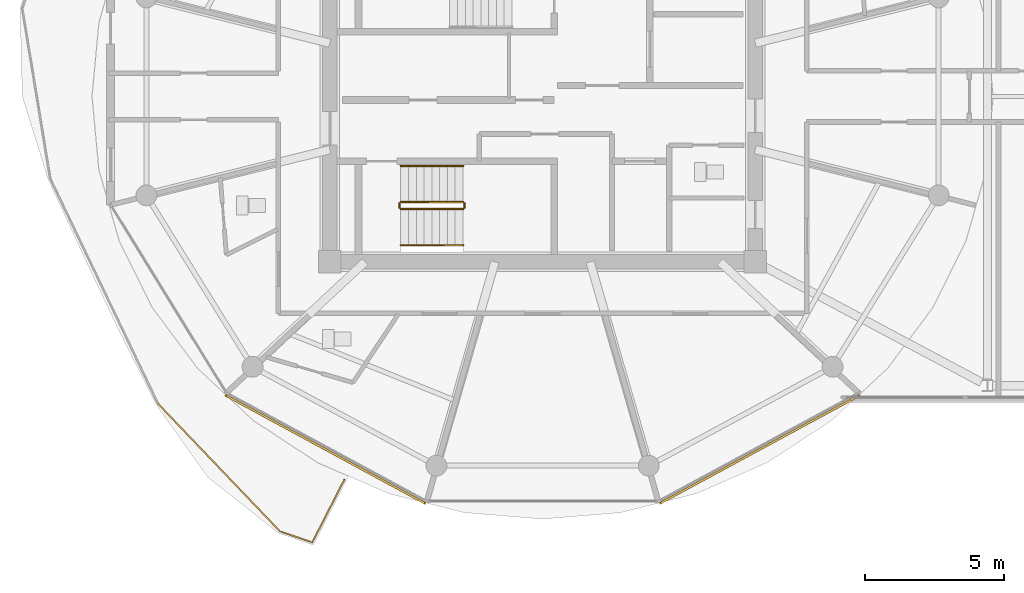
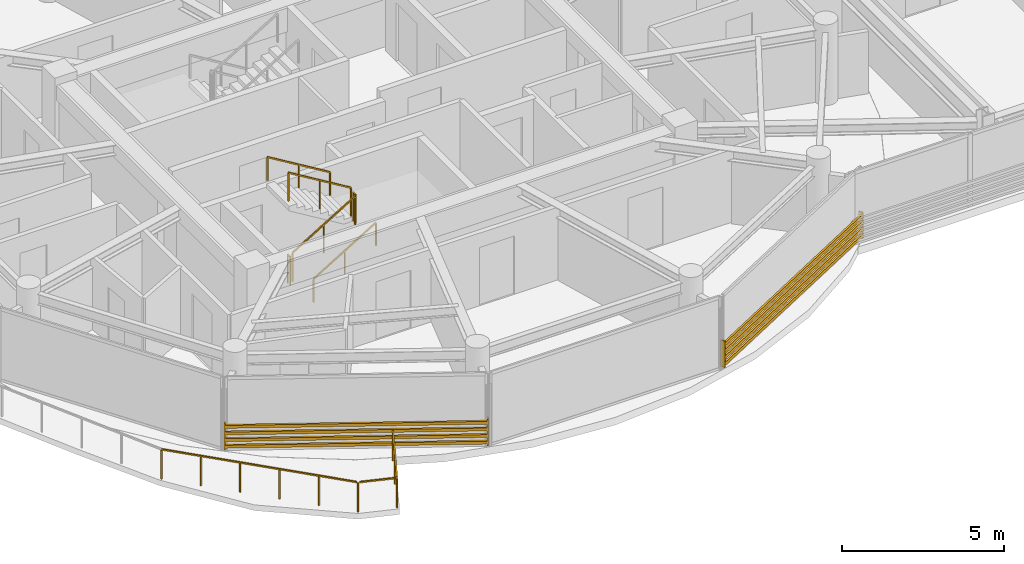
# One storey, part 22 of 26: 7 railings, 2 shading devices.
"""IFC4 building model written with IfcOpenShell, lengths in metres."""

from ifc_helpers import new_model, si_unit, direction, frame, origin, origin_2d, place, context, subcontext, project, spatial, rectangle, extrude, source, transform, mapped, material, type_object, type_shapes, element, save


model = new_model("IFC4")

# Units and contexts
model_context = context("Model", 3, precision=1e-05, world=origin(), true_north=direction((0.0, 1.0)))
body_context = subcontext(model_context, "Body", "Model", "MODEL_VIEW")
ifc_project = project(units=[si_unit("LENGTHUNIT", "METRE"), si_unit("AREAUNIT", "SQUARE_METRE"), si_unit("VOLUMEUNIT", "CUBIC_METRE"), si_unit("PLANEANGLEUNIT", "RADIAN"), si_unit("MASSUNIT", "GRAM", prefix="KILO")], contexts=[model_context])

# Site, building, storey
site_placement = place(None, origin())
site = spatial("IfcSite", under=ifc_project, at=site_placement, CompositionType="ELEMENT")
building_placement = place(site_placement, origin())
building = spatial("IfcBuilding", under=site, at=building_placement, Name="Norrkilde Senior Care Towers", CompositionType="ELEMENT")
storey_placement = place(building_placement, frame((0.0, 0.0, 210.85009765625)))
storey = spatial("IfcBuildingStorey", under=building, at=storey_placement, Name="L65", CompositionType="ELEMENT", Elevation=210.85009765625)

# Railings
ifc_material_1 = material(Name="Anodised Aluminium", Category="aluminium")
railing_type_1 = type_object("IfcRailingType", Name="Balcony Swirl Ribbon Guardrail 1150", PredefinedType="GUARDRAIL", material=ifc_material_1)
railing_1_placement = place(storey_placement, frame((-35.130126953125, -13.784423828125, 0.0)))
element("IfcRailing", 1, at=railing_1_placement, inside=storey, type_object=railing_type_1, Name="L65 Perimeter Safety Guard 04", PredefinedType="GUARDRAIL", context=body_context, shape_type="SweptSolid", body=[
    extrude(rectangle(XDim=0.048095703125, YDim=0.048095703125, at=origin_2d()), frame((0.0, 0.0, 1.1259765625), z_axis=(-0.454840673729, -0.890572827747, 0.0), x_axis=(0.890572827747, -0.454840673729, 0.0)), (0.0, 0.0, 1.0), 2.48876953125),
    extrude(rectangle(XDim=0.048095703125, YDim=0.048095703125, at=origin_2d()), frame((-1.189453125, -2.23974609375, 1.1259765625), z_axis=(-0.946715739522, 0.322070347192, 0.0), x_axis=(-0.322070347192, -0.946715739522, 0.0)), (0.0, 0.0, 1.0), 1.1455078125),
    extrude(rectangle(XDim=0.048095703125, YDim=0.048095703125, at=origin_2d()), frame((-2.3408203125, -1.828125, 1.1259765625), z_axis=(-0.690855536192, 0.722992827152, 0.0), x_axis=(-0.722992827152, -0.690855536192, 0.0)), (0.0, 0.0, 1.0), 6.302490234375),
    extrude(rectangle(XDim=0.0419921875, YDim=0.0419921875, at=origin_2d()), origin(), (0.0, 0.0, 1.0), 1.099853515625),
    extrude(rectangle(XDim=0.0419921875, YDim=0.0419921875, at=origin_2d()), frame((-0.5751953125, -1.12646484375, 0.0)), (0.0, 0.0, 1.0), 1.099853515625),
    extrude(rectangle(XDim=0.0419921875, YDim=0.0419921875, at=origin_2d()), frame((-1.150634765625, -2.2529296875, 0.0)), (0.0, 0.0, 1.0), 1.099853515625),
    extrude(rectangle(XDim=0.0419921875, YDim=0.0419921875, at=origin_2d()), frame((-2.3125, -1.857666015625, 0.0)), (0.0, 0.0, 1.0), 1.099853515625),
    extrude(rectangle(XDim=0.0419921875, YDim=0.0419921875, at=origin_2d()), frame((-3.18896484375, -0.9404296875, 0.0)), (0.0, 0.0, 1.0), 1.099853515625),
    extrude(rectangle(XDim=0.0419921875, YDim=0.0419921875, at=origin_2d()), frame((-4.0654296875, -0.023193359375, 0.0)), (0.0, 0.0, 1.0), 1.099853515625),
    extrude(rectangle(XDim=0.0419921875, YDim=0.0419921875, at=origin_2d()), frame((-4.94189453125, 0.89404296875, 0.0)), (0.0, 0.0, 1.0), 1.099853515625),
    extrude(rectangle(XDim=0.0419921875, YDim=0.0419921875, at=origin_2d()), frame((-5.818359375, 1.811279296875, 0.0)), (0.0, 0.0, 1.0), 1.099853515625),
    extrude(rectangle(XDim=0.0419921875, YDim=0.0419921875, at=origin_2d()), frame((-6.69482421875, 2.728515625, 0.0)), (0.0, 0.0, 1.0), 1.099853515625),
])
ifc_material_2 = material(Name="Stainless Steel", Category="steel")
railing_type_2 = type_object("IfcRailingType", Name="Stair and Terrace Guardrail 1100", PredefinedType="GUARDRAIL", material=ifc_material_2)
railing_2_placement = place(storey_placement, frame((-33.10009765625, -4.050048828125, 0.16943359375)))
element("IfcRailing", 2, at=railing_2_placement, inside=storey, type_object=railing_type_2, Name="L65 ST-W2 stair guard 1", PredefinedType="GUARDRAIL", context=body_context, shape_type="SweptSolid", body=[
    extrude(rectangle(XDim=0.048095703125, YDim=0.048095703125, at=origin_2d()), frame((0.0, 0.0, 1.076171875), z_axis=(0.855553338991, 0.0, 0.51771467445), x_axis=(0.0, 1.0, 0.0)), (0.0, 0.0, 1.0), 2.6181640625),
    extrude(rectangle(XDim=0.0419921875, YDim=0.0419921875, at=origin_2d()), origin(), (0.0, 0.0, 1.0), 1.050048828125),
    extrude(rectangle(XDim=0.0419921875, YDim=0.0419921875, at=origin_2d()), frame((1.1201171875, 0.0, 0.677734375)), (0.0, 0.0, 1.0), 1.050048828125),
    extrude(rectangle(XDim=0.0419921875, YDim=0.0419921875, at=origin_2d()), frame((2.239990234375, 0.0, 1.35546875)), (0.0, 0.0, 1.0), 1.050048828125),
])
railing_3_placement = place(storey_placement, frame((-30.81005859375, -4.0, 1.52490234375)))
element("IfcRailing", 3, at=railing_3_placement, inside=storey, type_object=railing_type_2, Name="L65 ST-W2 stair guard 2", PredefinedType="GUARDRAIL", context=body_context, shape_type="SweptSolid", body=[
    extrude(rectangle(XDim=0.048095703125, YDim=0.048095703125, at=origin_2d()), frame((0.0, 0.0, 1.076171875), z_axis=(0.0, 1.0, 0.0), x_axis=(-1.0, 0.0, 0.0)), (0.0, 0.0, 1.0), 0.14990234375),
    extrude(rectangle(XDim=0.0419921875, YDim=0.0419921875, at=origin_2d()), origin(), (0.0, 0.0, 1.0), 1.050048828125),
    extrude(rectangle(XDim=0.0419921875, YDim=0.0419921875, at=origin_2d()), frame((0.0, 0.14990234375, 0.0)), (0.0, 0.0, 1.0), 1.050048828125),
])
railing_4_placement = place(storey_placement, frame((-30.860107421875, -3.800048828125, 1.6943359375)))
element("IfcRailing", 4, at=railing_4_placement, inside=storey, type_object=railing_type_2, Name="L65 ST-W2 stair guard 3", PredefinedType="GUARDRAIL", context=body_context, shape_type="SweptSolid", body=[
    extrude(rectangle(XDim=0.048095703125, YDim=0.048095703125, at=origin_2d()), frame((0.0, 0.0, 1.076171875), z_axis=(-0.855553338991, 0.0, 0.51771467445), x_axis=(0.0, -1.0, 0.0)), (0.0, 0.0, 1.0), 2.6181640625),
    extrude(rectangle(XDim=0.0419921875, YDim=0.0419921875, at=origin_2d()), origin(), (0.0, 0.0, 1.0), 1.050048828125),
    extrude(rectangle(XDim=0.0419921875, YDim=0.0419921875, at=origin_2d()), frame((-1.1201171875, 0.0, 0.677734375)), (0.0, 0.0, 1.0), 1.050048828125),
    extrude(rectangle(XDim=0.0419921875, YDim=0.0419921875, at=origin_2d()), frame((-2.239990234375, 0.0, 1.35546875)), (0.0, 0.0, 1.0), 1.050048828125),
])
railing_5_placement = place(storey_placement, frame((-33.14990234375, -4.0, 0.0)))
element("IfcRailing", 5, at=railing_5_placement, inside=storey, type_object=railing_type_2, Name="L65 ST-W2 stair guard 4", PredefinedType="GUARDRAIL", context=body_context, shape_type="SweptSolid", body=[
    extrude(rectangle(XDim=0.048095703125, YDim=0.048095703125, at=origin_2d()), frame((0.0, 0.0, 1.076171875), z_axis=(0.0, 1.0, 0.0), x_axis=(-1.0, 0.0, 0.0)), (0.0, 0.0, 1.0), 0.14990234375),
    extrude(rectangle(XDim=0.0419921875, YDim=0.0419921875, at=origin_2d()), origin(), (0.0, 0.0, 1.0), 1.050048828125),
    extrude(rectangle(XDim=0.0419921875, YDim=0.0419921875, at=origin_2d()), frame((0.0, 0.14990234375, 0.0)), (0.0, 0.0, 1.0), 1.050048828125),
])
ifc_material_3 = material(Name="Nordic Ash Timber", Category="wood")
railing_type_3 = type_object("IfcRailingType", Name="Wall and Stair Handrail 900", PredefinedType="HANDRAIL", material=ifc_material_3)
railing_6_placement = place(storey_placement, frame((-33.10009765625, -5.35009765625, 0.16943359375)))
element("IfcRailing", 6, at=railing_6_placement, inside=storey, type_object=railing_type_3, Name="L65 ST-W2 stair handrail 1", PredefinedType="HANDRAIL", context=body_context, shape_type="SweptSolid", body=[
    extrude(rectangle(XDim=0.048095703125, YDim=0.048095703125, at=origin_2d()), frame((0.0, 0.0, 0.8759765625), z_axis=(0.855553338991, 0.0, 0.51771467445), x_axis=(0.0, 1.0, 0.0)), (0.0, 0.0, 1.0), 2.6181640625),
    extrude(rectangle(XDim=0.0419921875, YDim=0.0419921875, at=origin_2d()), origin(), (0.0, 0.0, 1.0), 0.849853515625),
    extrude(rectangle(XDim=0.0419921875, YDim=0.0419921875, at=origin_2d()), frame((1.1201171875, 0.0, 0.677734375)), (0.0, 0.0, 1.0), 0.849853515625),
    extrude(rectangle(XDim=0.0419921875, YDim=0.0419921875, at=origin_2d()), frame((2.239990234375, 0.0, 1.35546875)), (0.0, 0.0, 1.0), 0.849853515625),
])
railing_7_placement = place(storey_placement, frame((-30.860107421875, -2.5, 1.6943359375)))
element("IfcRailing", 7, at=railing_7_placement, inside=storey, type_object=railing_type_3, Name="L65 ST-W2 stair handrail 2", PredefinedType="HANDRAIL", context=body_context, shape_type="SweptSolid", body=[
    extrude(rectangle(XDim=0.048095703125, YDim=0.048095703125, at=origin_2d()), frame((0.0, 0.0, 0.8759765625), z_axis=(-0.855553338991, 0.0, 0.51771467445), x_axis=(0.0, -1.0, 0.0)), (0.0, 0.0, 1.0), 2.6181640625),
    extrude(rectangle(XDim=0.0419921875, YDim=0.0419921875, at=origin_2d()), origin(), (0.0, 0.0, 1.0), 0.849853515625),
    extrude(rectangle(XDim=0.0419921875, YDim=0.0419921875, at=origin_2d()), frame((-1.1201171875, 0.0, 0.677734375)), (0.0, 0.0, 1.0), 0.849853515625),
    extrude(rectangle(XDim=0.0419921875, YDim=0.0419921875, at=origin_2d()), frame((-2.239990234375, 0.0, 1.35546875)), (0.0, 0.0, 1.0), 0.849853515625),
])

# Shading devices
ifc_material_4 = material(Name="Architectural Terracotta", Category="masonry")
shading_device_type = type_object("IfcShadingDeviceType", Name="Horizontal Terracotta Baguette Rack", PredefinedType="USERDEFINED", material=ifc_material_4)
shared_shape = source(origin(), body_context, "Body", "SweptSolid", [
    extrude(rectangle(XDim=0.070068359375, YDim=0.110107421875, at=origin_2d()), frame((0.0, 0.090087890625, 0.125), z_axis=(1.0, 0.0, 0.0), x_axis=(0.0, 1.0, 0.0)), (0.0, 0.0, 1.0), 8.197265625),
    extrude(rectangle(XDim=0.070068359375, YDim=0.110107421875, at=origin_2d()), frame((0.0, 0.090087890625, 0.375), z_axis=(1.0, 0.0, 0.0), x_axis=(0.0, 1.0, 0.0)), (0.0, 0.0, 1.0), 8.197265625),
    extrude(rectangle(XDim=0.070068359375, YDim=0.110107421875, at=origin_2d()), frame((0.0, 0.090087890625, 0.625), z_axis=(1.0, 0.0, 0.0), x_axis=(0.0, 1.0, 0.0)), (0.0, 0.0, 1.0), 8.197265625),
    extrude(rectangle(XDim=0.070068359375, YDim=0.110107421875, at=origin_2d()), frame((0.0, 0.090087890625, 0.875), z_axis=(1.0, 0.0, 0.0), x_axis=(0.0, 1.0, 0.0)), (0.0, 0.0, 1.0), 8.197265625),
    extrude(rectangle(XDim=0.050048828125, YDim=0.1552734375, at=origin_2d()), frame((0.02490234375, 0.047607421875, 0.0)), (0.0, 0.0, 1.0), 1.0),
    extrude(rectangle(XDim=0.050048828125, YDim=0.1552734375, at=origin_2d()), frame((8.17236328125, 0.047607421875, 0.0)), (0.0, 0.0, 1.0), 1.0),
])
type_shapes(shading_device_type, [shared_shape])
for number, where, z_axis, x_axis, name in (
    (8, (-32.161865234375, -14.566162109375, 0.079833984375), (0.0, 0.0, 1.0), (-0.879378127234, 0.476143674053, 0.0), "L65 Drum W Terracotta Baguette Screen 07"),
    (9, (-16.629638671875, -10.6630859375, 0.079833984375), (0.0, 0.0, 1.0), (-0.879378127234, -0.476143674053, 0.0), "L65 Drum W Terracotta Baguette Screen 09"),
):
    element("IfcShadingDevice", number, at=place(storey_placement, frame(where, z_axis=z_axis, x_axis=x_axis)), inside=storey, type_object=shading_device_type, Name=name, ObjectType="BAGUETTE", PredefinedType="USERDEFINED", context=body_context, shape_type="MappedRepresentation", body=[
        mapped(shared_shape, transform((0.0, 0.0, 0.0), x_axis=(1.0, 0.0, 0.0), y_axis=(0.0, 1.0, 0.0), z_axis=(0.0, 0.0, 1.0), scale=1.0)),
    ])

save(model, "model.ifc")
